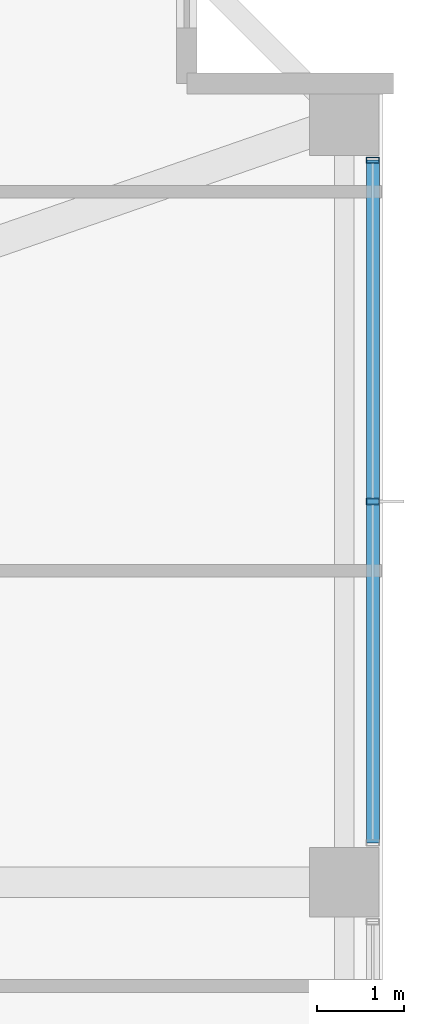
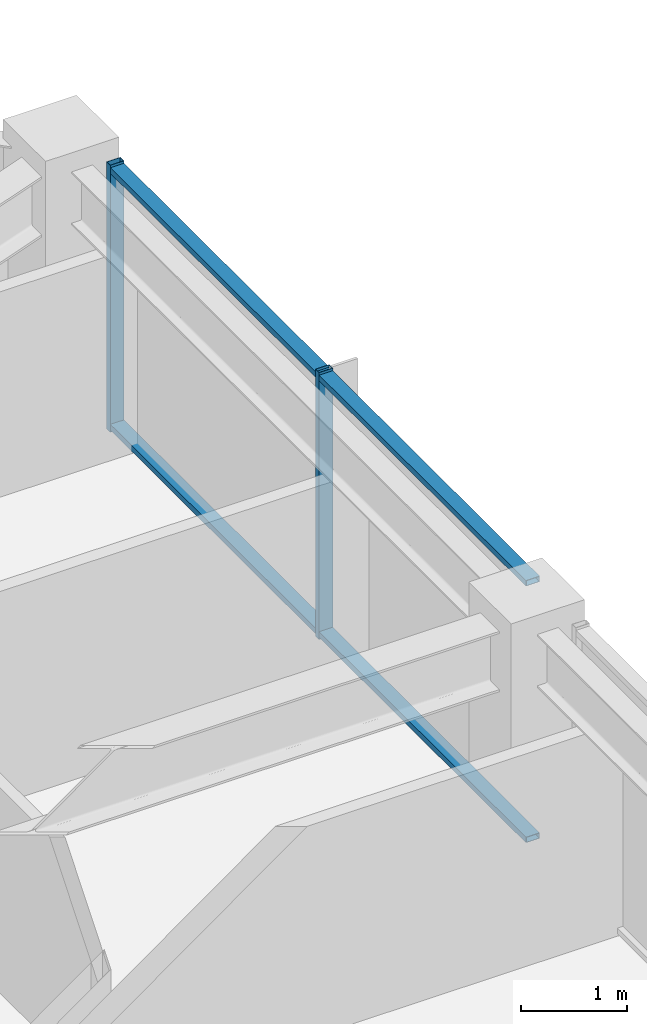
# One storey, part 21 of 36: 4 members, 1 element without a shape of its own.
"""IFC4 building model written with IfcOpenShell, lengths in metres."""

from ifc_helpers import new_model, si_unit, direction, frame, origin, origin_2d, place, context, subcontext, project, spatial, hollow_rectangle, extrude, material, material_profile, profile_set, type_object, element, aggregate, save


model = new_model("IFC4")

# Units and contexts
model_context = context("Model", 3, precision=1e-05, world=origin(), true_north=direction((0.0, 1.0)))
body_context = subcontext(model_context, "Body", "Model", "MODEL_VIEW")
ifc_project = project(units=[si_unit("LENGTHUNIT", "METRE"), si_unit("AREAUNIT", "SQUARE_METRE"), si_unit("VOLUMEUNIT", "CUBIC_METRE"), si_unit("PLANEANGLEUNIT", "RADIAN"), si_unit("MASSUNIT", "GRAM", prefix="KILO")], contexts=[model_context])

# Site, building, storey
site_placement = place(None, origin())
site = spatial("IfcSite", under=ifc_project, at=site_placement, CompositionType="ELEMENT")
building_placement = place(site_placement, origin())
building = spatial("IfcBuilding", under=site, at=building_placement, Name="Kolvaren Belvedere", CompositionType="ELEMENT")
storey_placement = place(building_placement, frame((0.0, 0.0, 196.5)))
storey = spatial("IfcBuildingStorey", under=building, at=storey_placement, Name="L57", CompositionType="ELEMENT", Elevation=196.5)

# Curtain wall, members
ifc_material_1 = material(Name="Anodised pale-metal aluminium AA 6063-T6", Category="aluminium")
curtain_wall_type = type_object("IfcCurtainWallType", Name="CW-Z5-HIGH", PredefinedType="NOTDEFINED", material=ifc_material_1)
curtain_wall_placement = place(storey_placement, origin())
curtain_wall = element("IfcCurtainWall", 1, at=curtain_wall_placement, inside=storey, type_object=curtain_wall_type, Name="L57 Unitised Curtain Wall FCW-L57-E-B1", PredefinedType="NOTDEFINED")
ifc_material_2 = material(Name="Anodised pale-metal aluminium AA 6063-T6", Category="aluminium")
ifc_material_profile_1 = material_profile(ifc_material_2, hollow_rectangle(XDim=0.070068359375, YDim=0.14990234375, WallThickness=0.004150390625, at=origin_2d()), Name="ALU-MUL-150X70")
ifc_profile_set_1 = profile_set([ifc_material_profile_1], Name="Anodised pale-metal aluminium AA 6063-T6")
member_type_1 = type_object("IfcMemberType", Name="CW-MUL-150", PredefinedType="MULLION", material=ifc_profile_set_1)
member_1_placement = place(storey_placement, frame((20.280029296875, 12.945068359375, 0.0), z_axis=(0.0, 0.0, 1.0), x_axis=(0.0, 1.0, 0.0)))
member_1 = element("IfcMember", 2, at=member_1_placement, type_object=member_type_1, Name="FCW-L57-E-B1 Unitised Mullion 1", PredefinedType="MULLION", context=body_context, shape_type="SweptSolid", body=[
    extrude(hollow_rectangle(XDim=0.070068359375, YDim=0.14990234375, WallThickness=0.004150390625, at=origin_2d()), origin(), (0.0, 0.0, 1.0), 3.080078125),
])
member_2_placement = place(storey_placement, frame((20.280029296875, 9.0, 0.0), z_axis=(0.0, 0.0, 1.0), x_axis=(0.0, 1.0, 0.0)))
member_2 = element("IfcMember", 3, at=member_2_placement, type_object=member_type_1, Name="FCW-L57-E-B1 Unitised Mullion 2", PredefinedType="MULLION", context=body_context, shape_type="SweptSolid", body=[
    extrude(hollow_rectangle(XDim=0.070068359375, YDim=0.14990234375, WallThickness=0.004150390625, at=origin_2d()), origin(), (0.0, 0.0, 1.0), 3.080078125),
])
ifc_material_3 = material(Name="Anodised pale-metal aluminium AA 6063-T6", Category="aluminium")
ifc_material_profile_2 = material_profile(ifc_material_3, hollow_rectangle(XDim=0.06494140625, YDim=0.14990234375, WallThickness=0.00390625, at=origin_2d()), Name="ALU-TRN-150X65")
ifc_profile_set_2 = profile_set([ifc_material_profile_2], Name="Anodised pale-metal aluminium AA 6063-T6")
member_type_2 = type_object("IfcMemberType", Name="CW-TRN-150", PredefinedType="USERDEFINED", material=ifc_profile_set_2)
member_3_placement = place(storey_placement, frame((20.280029296875, 12.945068359375, 0.06005859375), z_axis=(0.0, -1.0, 0.0), x_axis=(0.0, 0.0, 1.0)))
member_3 = element("IfcMember", 4, at=member_3_placement, type_object=member_type_2, Name="FCW-L57-E-B1 Sill Transom", ObjectType="TRANSOM", PredefinedType="USERDEFINED", context=body_context, shape_type="SweptSolid", body=[
    extrude(hollow_rectangle(XDim=0.06494140625, YDim=0.14990234375, WallThickness=0.00390625, at=origin_2d()), origin(), (0.0, 0.0, 1.0), 7.89013671875),
])
member_4_placement = place(storey_placement, frame((20.280029296875, 12.945068359375, 3.02001953125), z_axis=(0.0, -1.0, 0.0), x_axis=(0.0, 0.0, 1.0)))
member_4 = element("IfcMember", 5, at=member_4_placement, type_object=member_type_2, Name="FCW-L57-E-B1 Head Transom", ObjectType="TRANSOM", PredefinedType="USERDEFINED", context=body_context, shape_type="SweptSolid", body=[
    extrude(hollow_rectangle(XDim=0.06494140625, YDim=0.14990234375, WallThickness=0.00390625, at=origin_2d()), origin(), (0.0, 0.0, 1.0), 7.89013671875),
])
aggregate(curtain_wall, [member_1, member_2, member_3, member_4])

save(model, "model.ifc")
